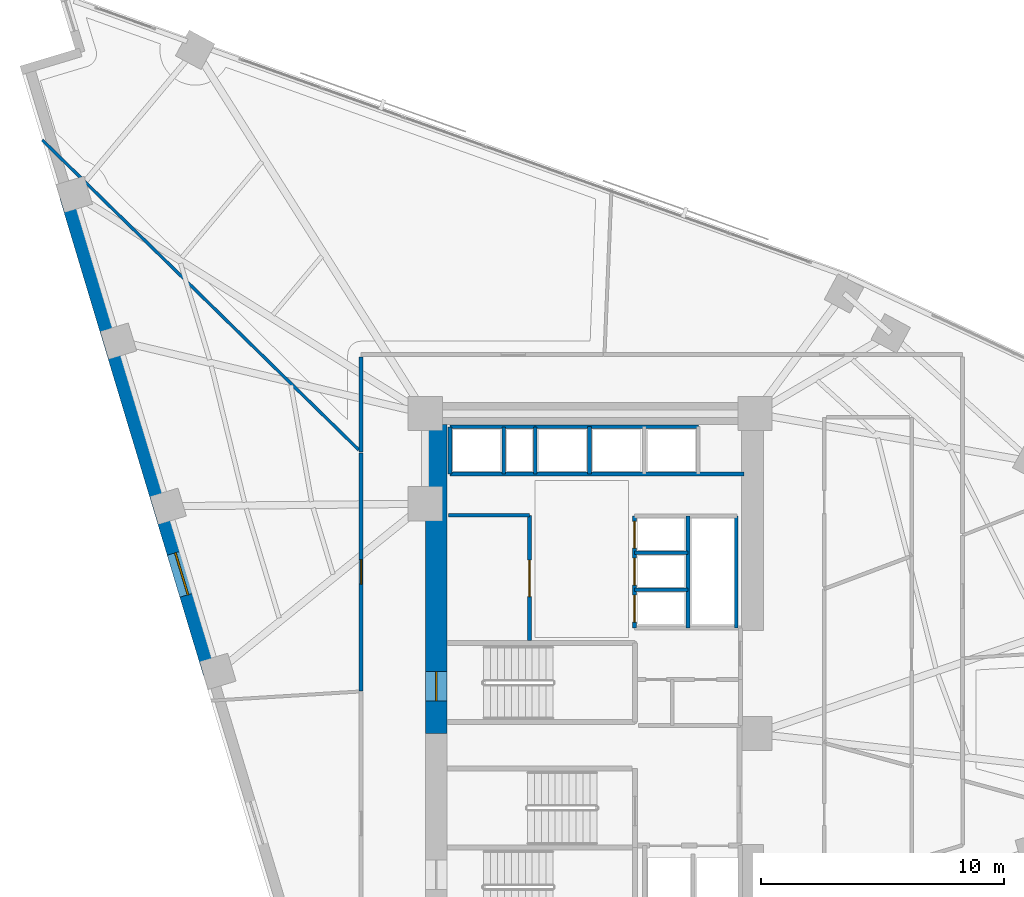
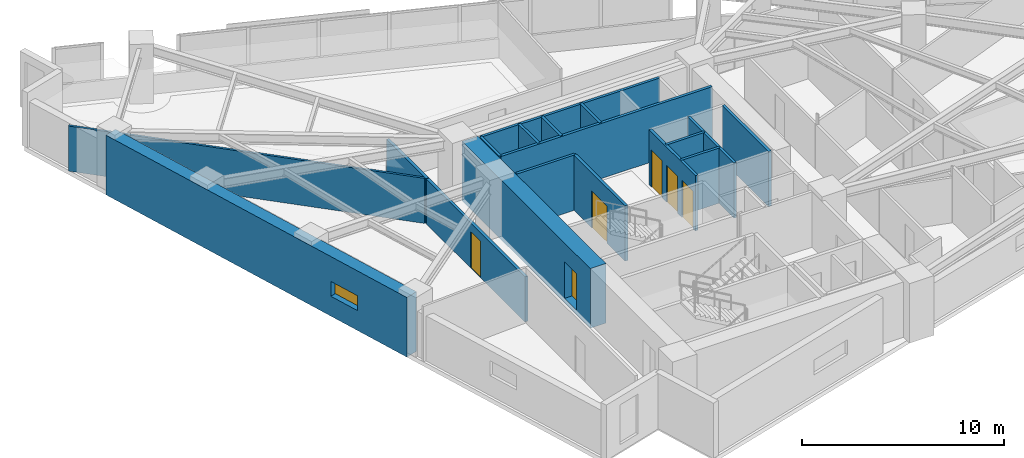
# One storey, part 11 of 17: 19 walls, 6 doors, 1 window, 7 openings.
"""IFC4 building model written with IfcOpenShell, lengths in metres."""

from ifc_helpers import new_model, si_unit, direction, frame, frame_2d, origin, place, context, subcontext, project, spatial, rectangle, extrude, material, layer, layer_set, type_object, element, fill, save


model = new_model("IFC4")

# Units and contexts
model_context = context("Model", 3, precision=1e-05, world=origin(), true_north=direction((0.0, 1.0)))
body_context = subcontext(model_context, "Body", "Model", "MODEL_VIEW")
ifc_project = project(units=[si_unit("LENGTHUNIT", "METRE"), si_unit("AREAUNIT", "SQUARE_METRE"), si_unit("VOLUMEUNIT", "CUBIC_METRE"), si_unit("PLANEANGLEUNIT", "RADIAN"), si_unit("MASSUNIT", "GRAM", prefix="KILO")], contexts=[model_context])

# Site, building, storey
site_placement = place(None, origin())
site = spatial("IfcSite", under=ifc_project, at=site_placement, CompositionType="ELEMENT")
building_placement = place(site_placement, origin())
building = spatial("IfcBuilding", under=site, at=building_placement, Name="Narakoshi Arena Tower", CompositionType="ELEMENT")
storey_placement = place(building_placement, frame((0.0, 0.0, 139.5)))
storey = spatial("IfcBuildingStorey", under=building, at=storey_placement, Name="L37", CompositionType="ELEMENT", Elevation=139.5)

# Wall, opening, door
ifc_material_1 = material(Name="Concrete C60/75", Category="concrete")
ifc_layer_1 = layer(ifc_material_1, 0.89990234375)
ifc_layer_set_1 = layer_set([ifc_layer_1], Name="Concrete C60/75")
wall_type_1 = type_object("IfcWallType", Name="WL-CORE-900", PredefinedType="SHEAR", material=ifc_layer_set_1)
wall_1_placement = place(storey_placement, frame((72.449951171875, 43.35009765625, -0.260009765625), z_axis=(0.0, 0.0, 1.0), x_axis=(0.0, 1.0, 0.0)))
wall_1 = element("IfcWall", 1, at=wall_1_placement, inside=storey, type_object=wall_type_1, Name="L37 Main Core Shear Wall CW-MN-W", PredefinedType="SHEAR", context=body_context, shape_type="SweptSolid", body=[
    extrude(rectangle(XDim=12.699951171875, YDim=0.89990234375, at=frame_2d((6.35009765625, 0.0))), origin(), (0.0, 0.0, 1.0), 3.60009765625),
])
opening_1_placement = place(wall_1_placement, frame((1.35009765625, 0.0, 0.260009765625)))
opening_1 = element("IfcOpeningElement", 2, at=opening_1_placement, cuts=wall_1, Name="Opening D-03", PredefinedType="OPENING", context=body_context, shape_type="SweptSolid", body=[
    extrude(rectangle(XDim=1.199951171875, YDim=2.199951171875, at=frame_2d((0.60009765625, 1.10009765625))), frame((0.0, 0.4599609375, 0.0), z_axis=(0.0, -1.0, 0.0), x_axis=(1.0, 0.0, 0.0)), (0.0, 0.0, 1.0), 0.919921875),
])
ifc_material_2 = material(Name="Painted galvanized steel", Category="steel")
door_type_1 = type_object("IfcDoorType", Name="DR-STR-1200", OperationType="NOTDEFINED", PredefinedType="USERDEFINED", material=ifc_material_2)
door_1_placement = place(opening_1_placement, frame((1.199951171875, 0.0, 0.0), z_axis=(0.0, 0.0, 1.0), x_axis=(-1.0, 0.0, 0.0)))
door_1 = element("IfcDoor", 3, at=door_1_placement, inside=storey, type_object=door_type_1, Name="DR-L37-006", ObjectType="EXITDOOR", OperationType="SINGLE_SWING_LEFT", OverallHeight=2.199951171875, OverallWidth=1.199951171875, PredefinedType="USERDEFINED", context=body_context, shape_type="SweptSolid", body=[
    extrude(rectangle(XDim=1.199951171875, YDim=2.199951171875, at=frame_2d((0.60009765625, 1.10009765625))), frame((0.0, 0.02490234375, 0.0), z_axis=(0.0, -1.0, 0.0), x_axis=(1.0, 0.0, 0.0)), (0.0, 0.0, 1.0), 0.050048828125),
])
fill(opening_1, door_1)

# Wall
ifc_material_3 = material(Name="Gypsum plasterboard fire-rated partition")
ifc_layer_2 = layer(ifc_material_3, 0.1650390625)
ifc_layer_set_2 = layer_set([ifc_layer_2], Name="Gypsum plasterboard fire-rated partition")
wall_type_2 = type_object("IfcWallType", Name="WL-CORR-165", PredefinedType="PARTITIONING", material=ifc_layer_set_2)
wall_2_placement = place(storey_placement, frame((69.364990234375, 58.83349609375, 0.0), z_axis=(0.0, 0.0, 1.0), x_axis=(0.0, -1.0, 0.0)))
element("IfcWall", 4, at=wall_2_placement, inside=storey, type_object=wall_type_2, Name="L37 Corridor Partition 08-2", PredefinedType="PARTITIONING", context=body_context, shape_type="SweptSolid", body=[
    extrude(rectangle(XDim=3.914794921875, YDim=0.1650390625, at=frame_2d((1.95751953125, 0.0))), origin(), (0.0, 0.0, 1.0), 2.72509765625),
])

# Wall, opening, door
wall_3_placement = place(storey_placement, frame((69.364990234375, 54.885009765625, 0.0), z_axis=(0.0, 0.0, 1.0), x_axis=(0.0, -1.0, 0.0)))
wall_3 = element("IfcWall", 5, at=wall_3_placement, inside=storey, type_object=wall_type_2, Name="L37 Corridor Partition 09-1", PredefinedType="PARTITIONING", context=body_context, shape_type="SweptSolid", body=[
    extrude(rectangle(XDim=9.773193359375, YDim=0.1650390625, at=frame_2d((4.88671875, 0.0))), origin(), (0.0, 0.0, 1.0), 2.72509765625),
])
opening_2_placement = place(wall_3_placement, frame((4.38671875, 0.0, 0.0)))
opening_2 = element("IfcOpeningElement", 6, at=opening_2_placement, cuts=wall_3, Name="Opening D-06", PredefinedType="OPENING", context=body_context, shape_type="SweptSolid", body=[
    extrude(rectangle(XDim=1.0, YDim=2.199951171875, at=frame_2d((0.5, 1.10009765625))), frame((0.0, 0.092529296875, 0.0), z_axis=(0.0, -1.0, 0.0), x_axis=(1.0, 0.0, 0.0)), (0.0, 0.0, 1.0), 0.18505859375),
])
ifc_material_4 = material(Name="Stained oak solid-core timber", Category="wood")
door_type_2 = type_object("IfcDoorType", Name="DR-OFF-1000", OperationType="NOTDEFINED", PredefinedType="DOOR", material=ifc_material_4)
door_2_placement = place(opening_2_placement, frame((1.0, 0.0, 0.0), z_axis=(0.0, 0.0, 1.0), x_axis=(-1.0, 0.0, 0.0)))
door_2 = element("IfcDoor", 7, at=door_2_placement, inside=storey, type_object=door_type_2, Name="DR-L37-022", OperationType="SINGLE_SWING_LEFT", OverallHeight=2.199951171875, OverallWidth=1.0, PredefinedType="DOOR", context=body_context, shape_type="SweptSolid", body=[
    extrude(rectangle(XDim=1.0, YDim=2.199951171875, at=frame_2d((0.5, 1.10009765625))), frame((0.0, 0.02490234375, 0.0), z_axis=(0.0, -1.0, 0.0), x_axis=(1.0, 0.0, 0.0)), (0.0, 0.0, 1.0), 0.050048828125),
])
fill(opening_2, door_2)

# Wall, opening, window
ifc_layer_3 = layer(ifc_material_1, 0.699951171875)
ifc_layer_set_3 = layer_set([ifc_layer_3], Name="Concrete C60/75")
wall_type_3 = type_object("IfcWallType", Name="WL-LEG-700", PredefinedType="SHEAR", material=ifc_layer_set_3)
wall_4_placement = place(storey_placement, frame((57.322509765625, 65.434326171875, -0.260009765625), z_axis=(0.0, 0.0, 1.0), x_axis=(0.288188159352, -0.957573801234, 0.0)))
wall_4 = element("IfcWall", 8, at=wall_4_placement, inside=storey, type_object=wall_type_3, Name="L37 Architectural Concrete Structural Wall LEGB-2", PredefinedType="SHEAR", context=body_context, shape_type="SweptSolid", body=[
    extrude(rectangle(XDim=20.468994140625, YDim=0.699951171875, at=frame_2d((10.234375, 0.0))), origin(), (0.0, 0.0, 1.0), 3.60009765625),
])
opening_3_placement = place(wall_4_placement, frame((15.300048828125, 0.0, 1.199951171875)))
opening_3 = element("IfcOpeningElement", 9, at=opening_3_placement, cuts=wall_4, Name="Opening WN-02", PredefinedType="OPENING", context=body_context, shape_type="SweptSolid", body=[
    extrude(rectangle(XDim=1.800048828125, YDim=0.89990234375, at=frame_2d((0.89990234375, 0.449951171875))), frame((0.0, 0.35986328125, 0.0), z_axis=(0.0, -1.0, 0.0), x_axis=(1.0, 0.0, 0.0)), (0.0, 0.0, 1.0), 0.719970703125),
])
ifc_material_5 = material(Name="Bronze-tinted low-E laminated glass", Category="glass")
window_type = type_object("IfcWindowType", Name="WIN-SLT-18x09", PartitioningType="SINGLE_PANEL", PredefinedType="WINDOW", material=ifc_material_5)
window_placement = place(opening_3_placement, origin())
window = element("IfcWindow", 10, at=window_placement, inside=storey, type_object=window_type, Name="L37 LEGB2 Horizontal Slot Window 1", OverallHeight=0.89990234375, OverallWidth=1.800048828125, PartitioningType="SINGLE_PANEL", PredefinedType="WINDOW", context=body_context, shape_type="SweptSolid", body=[
    extrude(rectangle(XDim=1.800048828125, YDim=0.89990234375, at=frame_2d((0.89990234375, 0.449951171875))), frame((0.0, 0.030029296875, 0.0), z_axis=(0.0, -1.0, 0.0), x_axis=(1.0, 0.0, 0.0)), (0.0, 0.0, 1.0), 0.06005859375),
])
fill(opening_3, window)

# Walls
ifc_layer_4 = layer(ifc_material_3, 0.125)
ifc_layer_set_4 = layer_set([ifc_layer_4], Name="Gypsum plasterboard fire-rated partition")
wall_type_4 = type_object("IfcWallType", Name="WL-PART-125", PredefinedType="PARTITIONING", material=ifc_layer_set_4)
wall_5_placement = place(storey_placement, frame((69.2705078125, 55.01123046875, 0.0), z_axis=(0.0, 0.0, 1.0), x_axis=(-0.714616844198, 0.699516094159, 0.0)))
element("IfcWall", 11, at=wall_5_placement, inside=storey, type_object=wall_type_4, Name="L37 Inter-Room Partition 08-09", PredefinedType="PARTITIONING", context=body_context, shape_type="SweptSolid", body=[
    extrude(rectangle(XDim=18.20458984375, YDim=0.125, at=frame_2d((9.102294921875, 0.0))), origin(), (0.0, 0.0, 1.0), 2.72509765625),
])
ifc_material_6 = material(Name="Concrete C40/50", Category="concrete")
ifc_layer_5 = layer(ifc_material_6, 0.280029296875)
ifc_layer_set_5 = layer_set([ifc_layer_5], Name="Concrete C40/50")
wall_type_5 = type_object("IfcWallType", Name="WL-RISER-280", PredefinedType="PLUMBINGWALL", material=ifc_layer_set_5)
for number, where, z_axis, x_axis, name in (
    (12, (80.60009765625, 49.260009765625, 0.0), (0.0, 0.0, 1.0), (1.0, 0.0, 0.0), "L37 Core Wall MR-D1"),
    (13, (80.60009765625, 50.780029296875, 0.0), (0.0, 0.0, 1.0), (1.0, 0.0, 0.0), "L37 Core Wall MR-D2"),
):
    element("IfcWall", number, at=place(storey_placement, frame(where, z_axis=z_axis, x_axis=x_axis)), inside=storey, type_object=wall_type_5, Name=name, PredefinedType="PLUMBINGWALL", context=body_context, shape_type="SweptSolid", body=[
        extrude(rectangle(XDim=2.199951171875, YDim=0.14990234375, at=frame_2d((1.10009765625, 0.0))), origin(), (0.0, 0.0, 1.0), 3.340087890625),
    ])
wall_6_placement = place(storey_placement, frame((82.800048828125, 47.699951171875, 0.0), z_axis=(0.0, 0.0, 1.0), x_axis=(0.0, 1.0, 0.0)))
element("IfcWall", 14, at=wall_6_placement, inside=storey, type_object=wall_type_5, Name="L37 Core Wall MR-E", PredefinedType="PLUMBINGWALL", context=body_context, shape_type="SweptSolid", body=[
    extrude(rectangle(XDim=4.60009765625, YDim=0.14990234375, at=frame_2d((2.300048828125, 0.0))), origin(), (0.0, 0.0, 1.0), 3.340087890625),
])
for number, where, z_axis, x_axis, name in (
    (15, (73.02001953125, 54.02001953125, 0.0), (0.0, 0.0, 1.0), (0.0, 1.0, 0.0), "L37 Core Wall OBS-W"),
    (16, (75.219970703125, 54.02001953125, 0.0), (0.0, 0.0, 1.0), (0.0, 1.0, 0.0), "L37 Core Wall OBS-M"),
):
    element("IfcWall", number, at=place(storey_placement, frame(where, z_axis=z_axis, x_axis=x_axis)), inside=storey, type_object=wall_type_5, Name=name, PredefinedType="PLUMBINGWALL", context=body_context, shape_type="SweptSolid", body=[
        extrude(rectangle(XDim=1.93994140625, YDim=0.14990234375, at=frame_2d((0.969970703125, 0.0))), origin(), (0.0, 0.0, 1.0), 3.340087890625),
    ])
wall_7_placement = place(storey_placement, frame((78.75, 54.02001953125, 0.0), z_axis=(0.0, 0.0, 1.0), x_axis=(0.0, 1.0, 0.0)))
element("IfcWall", 17, at=wall_7_placement, inside=storey, type_object=wall_type_5, Name="L37 Core Wall HR-D1", PredefinedType="PLUMBINGWALL", context=body_context, shape_type="SweptSolid", body=[
    extrude(rectangle(XDim=1.9599609375, YDim=0.14990234375, at=frame_2d((0.97998046875, 0.0))), origin(), (0.0, 0.0, 1.0), 3.340087890625),
])

# Wall, opening, door
ifc_material_7 = material(Name="Concrete C50/60", Category="concrete")
ifc_layer_6 = layer(ifc_material_7, 0.35009765625)
ifc_layer_set_6 = layer_set([ifc_layer_6], Name="Concrete C50/60")
wall_type_6 = type_object("IfcWallType", Name="WL-SHAFT-350", PredefinedType="SOLIDWALL", material=ifc_layer_set_6)
wall_8_placement = place(storey_placement, frame((76.280029296875, 47.179931640625, 0.0), z_axis=(0.0, 0.0, 1.0), x_axis=(0.0, 1.0, 0.0)))
wall_8 = element("IfcWall", 18, at=wall_8_placement, inside=storey, type_object=wall_type_6, Name="L37 Core Wall LR-E", PredefinedType="SOLIDWALL", context=body_context, shape_type="SweptSolid", body=[
    extrude(rectangle(XDim=5.14013671875, YDim=0.159912109375, at=frame_2d((2.570068359375, 0.0))), origin(), (0.0, 0.0, 1.0), 3.340087890625),
])
opening_4_placement = place(wall_8_placement, frame((1.800048828125, 0.0, 0.0)))
opening_4 = element("IfcOpeningElement", 19, at=opening_4_placement, cuts=wall_8, Name="Opening D-09", PredefinedType="OPENING", context=body_context, shape_type="SweptSolid", body=[
    extrude(rectangle(XDim=1.5, YDim=2.25, at=frame_2d((0.75, 1.125))), frame((0.0, 0.08984375, 0.0), z_axis=(0.0, -1.0, 0.0), x_axis=(1.0, 0.0, 0.0)), (0.0, 0.0, 1.0), 0.179931640625),
])
door_type_3 = type_object("IfcDoorType", Name="DR-PLT-1500", OperationType="DOUBLE_DOOR_SINGLE_SWING", PredefinedType="DOOR", material=ifc_material_2)
door_3_placement = place(opening_4_placement, frame((1.5, 0.0, 0.0), z_axis=(0.0, 0.0, 1.0), x_axis=(-1.0, 0.0, 0.0)))
door_3 = element("IfcDoor", 20, at=door_3_placement, inside=storey, type_object=door_type_3, Name="DR-L37-010", OperationType="DOUBLE_DOOR_SINGLE_SWING", OverallHeight=2.25, OverallWidth=1.5, PredefinedType="DOOR", context=body_context, shape_type="SweptSolid", body=[
    extrude(rectangle(XDim=1.5, YDim=2.25, at=frame_2d((0.75, 1.125))), frame((0.0, 0.02490234375, 0.0), z_axis=(0.0, -1.0, 0.0), x_axis=(1.0, 0.0, 0.0)), (0.0, 0.0, 1.0), 0.050048828125),
])
fill(opening_4, door_3)

# Wall
wall_9_placement = place(storey_placement, frame((72.949951171875, 52.320068359375, 0.0), z_axis=(0.0, 0.0, 1.0), x_axis=(1.0, 0.0, 0.0)))
element("IfcWall", 21, at=wall_9_placement, inside=storey, type_object=wall_type_6, Name="L37 Core Wall LR-N", PredefinedType="SOLIDWALL", context=body_context, shape_type="SweptSolid", body=[
    extrude(rectangle(XDim=3.330078125, YDim=0.14990234375, at=frame_2d((1.6650390625, 0.0))), origin(), (0.0, 0.0, 1.0), 3.340087890625),
])

# Wall, openings, doors
wall_10_placement = place(storey_placement, frame((80.60009765625, 47.699951171875, 0.0), z_axis=(0.0, 0.0, 1.0), x_axis=(0.0, 1.0, 0.0)))
wall_10 = element("IfcWall", 22, at=wall_10_placement, inside=storey, type_object=wall_type_6, Name="L37 Core Wall MR-W", PredefinedType="SOLIDWALL", context=body_context, shape_type="SweptSolid", body=[
    extrude(rectangle(XDim=4.60009765625, YDim=0.159912109375, at=frame_2d((2.300048828125, 0.0))), origin(), (0.0, 0.0, 1.0), 3.340087890625),
])
opening_5_placement = place(wall_10_placement, frame((0.239990234375, 0.0, 0.0)))
opening_5 = element("IfcOpeningElement", 23, at=opening_5_placement, cuts=wall_10, Name="Opening LD-01", PredefinedType="OPENING", context=body_context, shape_type="SweptSolid", body=[
    extrude(rectangle(XDim=1.10009765625, YDim=2.25, at=frame_2d((0.550048828125, 1.125))), frame((0.0, 0.08984375, 0.0), z_axis=(0.0, -1.0, 0.0), x_axis=(1.0, 0.0, 0.0)), (0.0, 0.0, 1.0), 0.179931640625),
])
opening_6_placement = place(wall_10_placement, frame((1.760009765625, 0.0, 0.0)))
opening_6 = element("IfcOpeningElement", 24, at=opening_6_placement, cuts=wall_10, Name="Opening LD-01", PredefinedType="OPENING", context=body_context, shape_type="SweptSolid", body=[
    extrude(rectangle(XDim=1.10009765625, YDim=2.25, at=frame_2d((0.550048828125, 1.125))), frame((0.0, 0.08984375, 0.0), z_axis=(0.0, -1.0, 0.0), x_axis=(1.0, 0.0, 0.0)), (0.0, 0.0, 1.0), 0.179931640625),
])
opening_7_placement = place(wall_10_placement, frame((3.280029296875, 0.0, 0.0)))
opening_7 = element("IfcOpeningElement", 25, at=opening_7_placement, cuts=wall_10, Name="Opening LD-01", PredefinedType="OPENING", context=body_context, shape_type="SweptSolid", body=[
    extrude(rectangle(XDim=1.10009765625, YDim=2.25, at=frame_2d((0.550048828125, 1.125))), frame((0.0, 0.08984375, 0.0), z_axis=(0.0, -1.0, 0.0), x_axis=(1.0, 0.0, 0.0)), (0.0, 0.0, 1.0), 0.179931640625),
])
ifc_material_8 = material(Name="Brushed bronze stainless steel", Category="steel")
door_type_4 = type_object("IfcDoorType", Name="DR-LFT-1100", OperationType="DOUBLE_DOOR_SLIDING", PredefinedType="DOOR", material=ifc_material_8)
door_4_placement = place(opening_5_placement, frame((1.10009765625, 0.0, 0.0), z_axis=(0.0, 0.0, 1.0), x_axis=(-1.0, 0.0, 0.0)))
door_4 = element("IfcDoor", 26, at=door_4_placement, inside=storey, type_object=door_type_4, Name="DR-L37-011", OperationType="DOUBLE_DOOR_SLIDING", OverallHeight=2.25, OverallWidth=1.10009765625, PredefinedType="DOOR", context=body_context, shape_type="SweptSolid", body=[
    extrude(rectangle(XDim=1.10009765625, YDim=2.25, at=frame_2d((0.550048828125, 1.125))), frame((0.0, 0.02490234375, 0.0), z_axis=(0.0, -1.0, 0.0), x_axis=(1.0, 0.0, 0.0)), (0.0, 0.0, 1.0), 0.050048828125),
])
fill(opening_5, door_4)
door_5_placement = place(opening_6_placement, frame((1.10009765625, 0.0, 0.0), z_axis=(0.0, 0.0, 1.0), x_axis=(-1.0, 0.0, 0.0)))
door_5 = element("IfcDoor", 27, at=door_5_placement, inside=storey, type_object=door_type_4, Name="DR-L37-012", OperationType="DOUBLE_DOOR_SLIDING", OverallHeight=2.25, OverallWidth=1.10009765625, PredefinedType="DOOR", context=body_context, shape_type="SweptSolid", body=[
    extrude(rectangle(XDim=1.10009765625, YDim=2.25, at=frame_2d((0.550048828125, 1.125))), frame((0.0, 0.02490234375, 0.0), z_axis=(0.0, -1.0, 0.0), x_axis=(1.0, 0.0, 0.0)), (0.0, 0.0, 1.0), 0.050048828125),
])
fill(opening_6, door_5)
door_6_placement = place(opening_7_placement, frame((1.10009765625, 0.0, 0.0), z_axis=(0.0, 0.0, 1.0), x_axis=(-1.0, 0.0, 0.0)))
door_6 = element("IfcDoor", 28, at=door_6_placement, inside=storey, type_object=door_type_4, Name="DR-L37-013", OperationType="DOUBLE_DOOR_SLIDING", OverallHeight=2.25, OverallWidth=1.10009765625, PredefinedType="DOOR", context=body_context, shape_type="SweptSolid", body=[
    extrude(rectangle(XDim=1.10009765625, YDim=2.25, at=frame_2d((0.550048828125, 1.125))), frame((0.0, 0.02490234375, 0.0), z_axis=(0.0, -1.0, 0.0), x_axis=(1.0, 0.0, 0.0)), (0.0, 0.0, 1.0), 0.050048828125),
])
fill(opening_7, door_6)

# Walls
wall_11_placement = place(storey_placement, frame((84.780029296875, 47.699951171875, 0.0), z_axis=(0.0, 0.0, 1.0), x_axis=(0.0, 1.0, 0.0)))
element("IfcWall", 29, at=wall_11_placement, inside=storey, type_object=wall_type_6, Name="L37 Core Wall MR-E2", PredefinedType="SOLIDWALL", context=body_context, shape_type="SweptSolid", body=[
    extrude(rectangle(XDim=4.60009765625, YDim=0.159912109375, at=frame_2d((2.300048828125, 0.0))), origin(), (0.0, 0.0, 1.0), 3.340087890625),
])
wall_12_placement = place(storey_placement, frame((73.02001953125, 54.02001953125, 0.0), z_axis=(0.0, 0.0, 1.0), x_axis=(1.0, 0.0, 0.0)))
element("IfcWall", 30, at=wall_12_placement, inside=storey, type_object=wall_type_6, Name="L37 Core Wall NSHF-S", PredefinedType="SOLIDWALL", context=body_context, shape_type="SweptSolid", body=[
    extrude(rectangle(XDim=12.080078125, YDim=0.159912109375, at=frame_2d((6.0400390625, 0.0))), origin(), (0.0, 0.0, 1.0), 3.340087890625),
])
wall_13_placement = place(storey_placement, frame((73.02001953125, 55.9599609375, 0.0), z_axis=(0.0, 0.0, 1.0), x_axis=(1.0, 0.0, 0.0)))
element("IfcWall", 31, at=wall_13_placement, inside=storey, type_object=wall_type_6, Name="L37 Core Wall OBS-N", PredefinedType="SOLIDWALL", context=body_context, shape_type="SweptSolid", body=[
    extrude(rectangle(XDim=3.5, YDim=0.14990234375, at=frame_2d((1.75, 0.0))), origin(), (0.0, 0.0, 1.0), 3.340087890625),
])
wall_14_placement = place(storey_placement, frame((76.52001953125, 54.02001953125, 0.0), z_axis=(0.0, 0.0, 1.0), x_axis=(0.0, 1.0, 0.0)))
element("IfcWall", 32, at=wall_14_placement, inside=storey, type_object=wall_type_6, Name="L37 Core Wall OBS-E", PredefinedType="SOLIDWALL", context=body_context, shape_type="SweptSolid", body=[
    extrude(rectangle(XDim=1.93994140625, YDim=0.14990234375, at=frame_2d((0.969970703125, 0.0))), origin(), (0.0, 0.0, 1.0), 3.340087890625),
])
wall_15_placement = place(storey_placement, frame((76.52001953125, 55.9599609375, 0.0), z_axis=(0.0, 0.0, 1.0), x_axis=(1.0, 0.0, 0.0)))
element("IfcWall", 33, at=wall_15_placement, inside=storey, type_object=wall_type_6, Name="L37 Core Wall HR-N", PredefinedType="SOLIDWALL", context=body_context, shape_type="SweptSolid", body=[
    extrude(rectangle(XDim=6.699951171875, YDim=0.14990234375, at=frame_2d((3.35009765625, 0.0))), origin(), (0.0, 0.0, 1.0), 3.340087890625),
])

save(model, "model.ifc")
